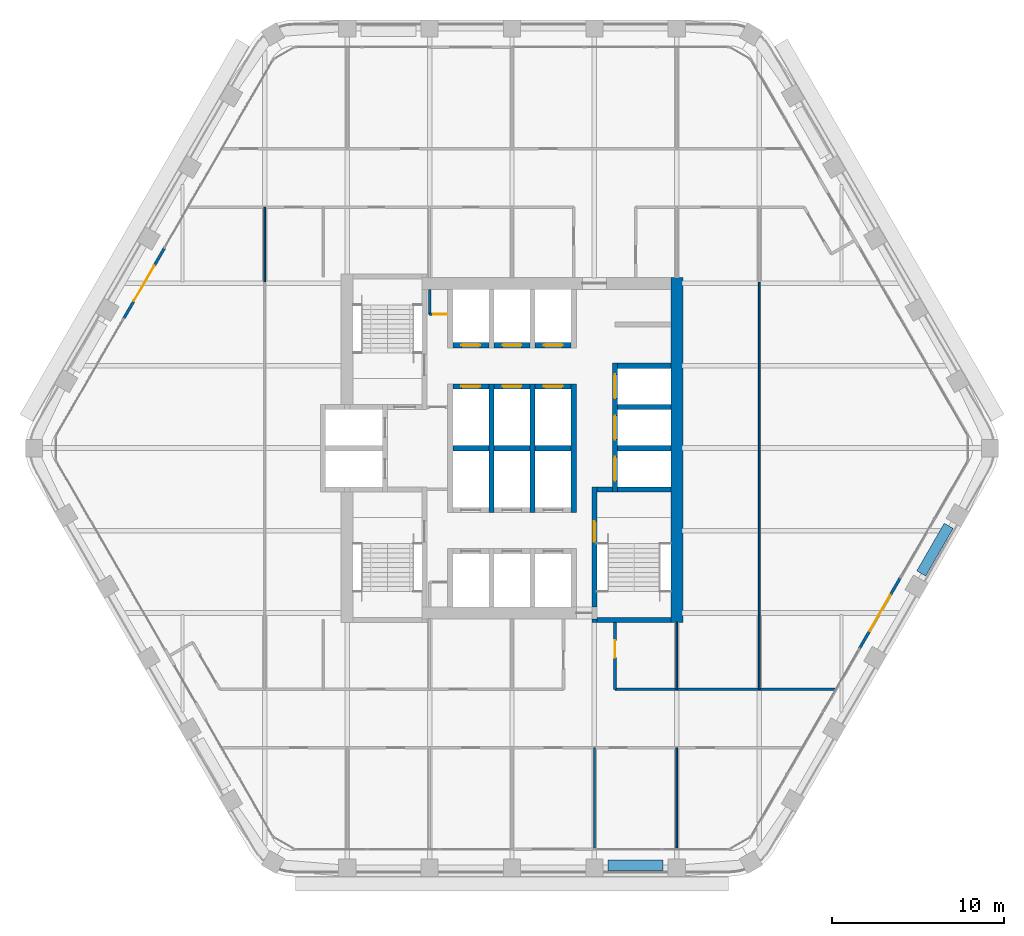
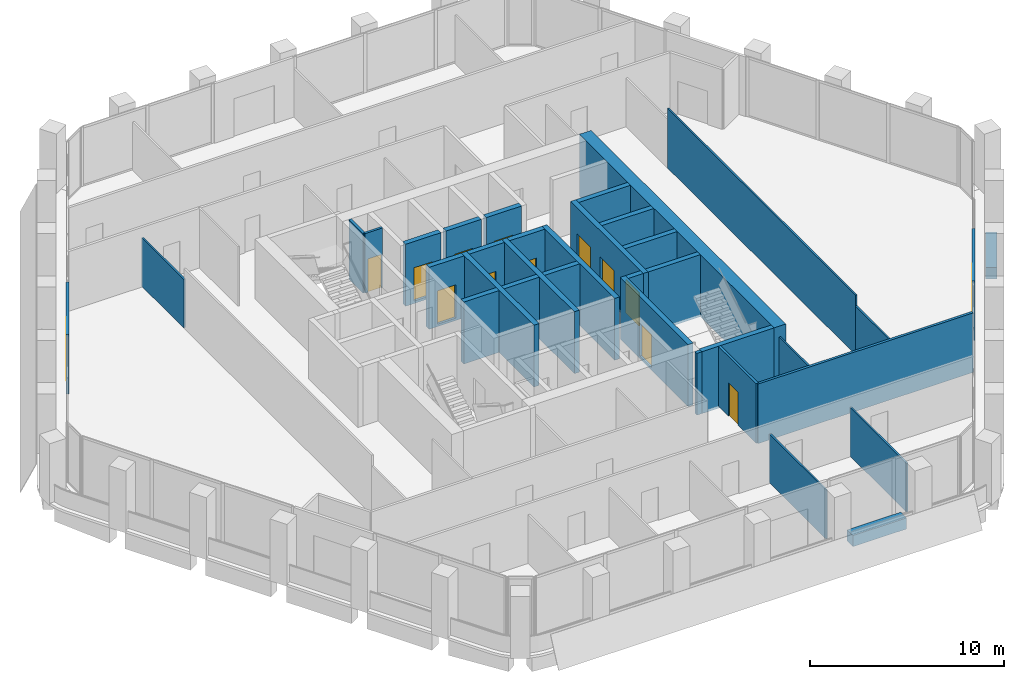
# One storey, part 10 of 15: 36 walls, 14 doors, 14 openings.
"""IFC4 building model written with IfcOpenShell, lengths in metres."""

from ifc_helpers import new_model, si_unit, direction, frame, frame_2d, origin, place, context, subcontext, project, spatial, rectangle, extrude, material, layer, layer_set, type_object, element, fill, save


model = new_model("IFC4")

# Units and contexts
model_context = context("Model", 3, precision=1e-05, world=origin(), true_north=direction((0.0, 1.0)))
body_context = subcontext(model_context, "Body", "Model", "MODEL_VIEW")
ifc_project = project(units=[si_unit("LENGTHUNIT", "METRE"), si_unit("AREAUNIT", "SQUARE_METRE"), si_unit("VOLUMEUNIT", "CUBIC_METRE"), si_unit("PLANEANGLEUNIT", "RADIAN"), si_unit("MASSUNIT", "GRAM", prefix="KILO")], contexts=[model_context])

# Site, building, storey
site_placement = place(None, origin())
site = spatial("IfcSite", under=ifc_project, at=site_placement, CompositionType="ELEMENT")
building_placement = place(site_placement, origin())
building = spatial("IfcBuilding", under=site, at=building_placement, Name="Kolab Exchange Tower", CompositionType="ELEMENT")
storey_placement = place(building_placement, frame((0.0, 0.0, 142.699951171875)))
storey = spatial("IfcBuildingStorey", under=building, at=storey_placement, Name="L28", CompositionType="ELEMENT", Elevation=142.699951171875)

# Wall
ifc_material_1 = material(Name="Concrete C60/75", Category="concrete")
ifc_layer_1 = layer(ifc_material_1, 0.699951171875)
ifc_layer_set_1 = layer_set([ifc_layer_1], Name="Concrete C60/75")
wall_type_1 = type_object("IfcWallType", Name="CORE WALL 700 C60/75", PredefinedType="SHEAR", material=ifc_layer_set_1)
wall_1_placement = place(storey_placement, frame((9.60009765625, -10.14990234375, -0.14990234375), z_axis=(0.0, 0.0, 1.0), x_axis=(0.0, 1.0, 0.0)))
element("IfcWall", 1, at=wall_1_placement, inside=storey, type_object=wall_type_1, Name="wall/L28/core/058", PredefinedType="SHEAR", context=body_context, shape_type="SweptSolid", body=[
    extrude(rectangle(XDim=20.099853515625, YDim=0.699951171875, at=frame_2d((10.0498046875, 0.0))), origin(), (0.0, 0.0, 1.0), 3.89990234375),
])

# Wall, opening, door
ifc_material_2 = material(Name="Aluminium EN AW-6063 T6", Category="aluminium")
ifc_layer_2 = layer(ifc_material_2, 0.159912109375)
ifc_layer_set_2 = layer_set([ifc_layer_2], Name="Aluminium EN AW-6063 T6")
wall_type_2 = type_object("IfcWallType", Name="DOOR SURROUND WALL 160 ALUMINIUM FRAMED", PredefinedType="PARTITIONING", material=ifc_layer_set_2)
wall_2_placement = place(storey_placement, frame((22.61669921875, -7.5498046875, 0.0), z_axis=(0.0, 0.0, 1.0), x_axis=(-0.5000167099, -0.866015756104, 0.0)))
wall_2 = element("IfcWall", 2, at=wall_2_placement, inside=storey, type_object=wall_type_2, Name="Door surround wall", PredefinedType="PARTITIONING", context=body_context, shape_type="SweptSolid", body=[
    extrude(rectangle(XDim=4.739990234375, YDim=0.159912109375, at=frame_2d((2.3701171875, 0.0))), origin(), (0.0, 0.0, 1.0), 3.75),
])
opening_1_placement = place(wall_2_placement, frame((1.169921875, 0.0, 0.0)))
opening_1 = element("IfcOpeningElement", 3, at=opening_1_placement, cuts=wall_2, Name="Opening GD1-066", PredefinedType="OPENING", context=body_context, shape_type="SweptSolid", body=[
    extrude(rectangle(XDim=2.39990234375, YDim=2.39990234375, at=frame_2d((1.199951171875, 1.199951171875))), frame((0.0, 0.08984375, 0.0), z_axis=(0.0, -1.0, 0.0), x_axis=(1.0, 0.0, 0.0)), (0.0, 0.0, 1.0), 0.179931640625),
])
door_type_1 = type_object("IfcDoorType", Name="LOGGIA SLIDING GLASS DOOR 2400 X 2400", OperationType="DOUBLE_DOOR_SINGLE_SWING", PredefinedType="DOOR", material=ifc_material_2)
door_1_placement = place(opening_1_placement, origin())
door_1 = element("IfcDoor", 4, at=door_1_placement, inside=storey, type_object=door_type_1, Name="Loggia door", OperationType="DOUBLE_DOOR_SLIDING", OverallHeight=2.39990234375, OverallWidth=2.39990234375, PredefinedType="DOOR", context=body_context, shape_type="SweptSolid", body=[
    extrude(rectangle(XDim=2.39990234375, YDim=2.39990234375, at=frame_2d((1.199951171875, 1.199951171875))), frame((0.0, 0.02490234375, 0.0), z_axis=(0.0, -1.0, 0.0), x_axis=(1.0, 0.0, 0.0)), (0.0, 0.0, 1.0), 0.050048828125),
])
fill(opening_1, door_1)

wall_3_placement = place(storey_placement, frame((-22.61669921875, 7.5498046875, 0.0), z_axis=(0.0, 0.0, 1.0), x_axis=(0.5000167099, 0.866015756104, 0.0)))
wall_3 = element("IfcWall", 5, at=wall_3_placement, inside=storey, type_object=wall_type_2, Name="Door surround wall", PredefinedType="PARTITIONING", context=body_context, shape_type="SweptSolid", body=[
    extrude(rectangle(XDim=4.739990234375, YDim=0.159912109375, at=frame_2d((2.3701171875, 0.0))), origin(), (0.0, 0.0, 1.0), 3.75),
])
opening_2_placement = place(wall_3_placement, frame((1.169921875, 0.0, 0.0)))
opening_2 = element("IfcOpeningElement", 6, at=opening_2_placement, cuts=wall_3, Name="Opening GD1-069", PredefinedType="OPENING", context=body_context, shape_type="SweptSolid", body=[
    extrude(rectangle(XDim=2.39990234375, YDim=2.39990234375, at=frame_2d((1.199951171875, 1.199951171875))), frame((0.0, 0.08984375, 0.0), z_axis=(0.0, -1.0, 0.0), x_axis=(1.0, 0.0, 0.0)), (0.0, 0.0, 1.0), 0.179931640625),
])
door_2_placement = place(opening_2_placement, origin())
door_2 = element("IfcDoor", 7, at=door_2_placement, inside=storey, type_object=door_type_1, Name="Loggia door", OperationType="DOUBLE_DOOR_SLIDING", OverallHeight=2.39990234375, OverallWidth=2.39990234375, PredefinedType="DOOR", context=body_context, shape_type="SweptSolid", body=[
    extrude(rectangle(XDim=2.39990234375, YDim=2.39990234375, at=frame_2d((1.199951171875, 1.199951171875))), frame((0.0, 0.02490234375, 0.0), z_axis=(0.0, -1.0, 0.0), x_axis=(1.0, 0.0, 0.0)), (0.0, 0.0, 1.0), 0.050048828125),
])
fill(opening_2, door_2)

# Walls
ifc_material_3 = material(Name="Concrete C50/60", Category="concrete")
ifc_layer_3 = layer(ifc_material_3, 0.300048828125)
ifc_layer_set_3 = layer_set([ifc_layer_3], Name="Concrete C50/60")
wall_type_3 = type_object("IfcWallType", Name="LIFT SHAFT WALL 300 C50/60", PredefinedType="STANDARD", material=ifc_layer_set_3)
wall_4_placement = place(storey_placement, frame((-3.449951171875, 0.0, -0.14990234375), z_axis=(0.0, 0.0, 1.0), x_axis=(1.0, 0.0, 0.0)))
element("IfcWall", 8, at=wall_4_placement, inside=storey, type_object=wall_type_3, Name="wall/L28/core/015", PredefinedType="STANDARD", context=body_context, shape_type="SweptSolid", body=[
    extrude(rectangle(XDim=2.099853515625, YDim=0.300048828125, at=frame_2d((1.0498046875, 0.0))), origin(), (0.0, 0.0, 1.0), 3.89990234375),
])
wall_5_placement = place(storey_placement, frame((-1.050048828125, 0.0, -0.14990234375), z_axis=(0.0, 0.0, 1.0), x_axis=(1.0, 0.0, 0.0)))
element("IfcWall", 9, at=wall_5_placement, inside=storey, type_object=wall_type_3, Name="wall/L28/core/016", PredefinedType="STANDARD", context=body_context, shape_type="SweptSolid", body=[
    extrude(rectangle(XDim=2.10009765625, YDim=0.300048828125, at=frame_2d((1.050048828125, 0.0))), origin(), (0.0, 0.0, 1.0), 3.89990234375),
])
wall_6_placement = place(storey_placement, frame((1.35009765625, 0.0, -0.14990234375), z_axis=(0.0, 0.0, 1.0), x_axis=(1.0, 0.0, 0.0)))
element("IfcWall", 10, at=wall_6_placement, inside=storey, type_object=wall_type_3, Name="wall/L28/core/017", PredefinedType="STANDARD", context=body_context, shape_type="SweptSolid", body=[
    extrude(rectangle(XDim=2.099853515625, YDim=0.300048828125, at=frame_2d((1.0498046875, 0.0))), origin(), (0.0, 0.0, 1.0), 3.89990234375),
])
for number, where, z_axis, x_axis, name in (
    (11, (6.14990234375, 0.0, -0.14990234375), (0.0, 0.0, 1.0), (1.0, 0.0, 0.0), "wall/L28/core/018"),
    (12, (6.14990234375, 2.39990234375, -0.14990234375), (0.0, 0.0, 1.0), (1.0, 0.0, 0.0), "wall/L28/core/022"),
):
    element("IfcWall", number, at=place(storey_placement, frame(where, z_axis=z_axis, x_axis=x_axis)), inside=storey, type_object=wall_type_3, Name=name, PredefinedType="STANDARD", context=body_context, shape_type="SweptSolid", body=[
        extrude(rectangle(XDim=3.10009765625, YDim=0.300048828125, at=frame_2d((1.550048828125, 0.0))), origin(), (0.0, 0.0, 1.0), 3.89990234375),
    ])

# Wall, opening, door
wall_7_placement = place(storey_placement, frame((-3.449951171875, 3.60009765625, -0.14990234375), z_axis=(0.0, 0.0, 1.0), x_axis=(1.0, 0.0, 0.0)))
wall_7 = element("IfcWall", 13, at=wall_7_placement, inside=storey, type_object=wall_type_3, Name="wall/L28/core/023", PredefinedType="STANDARD", context=body_context, shape_type="SweptSolid", body=[
    extrude(rectangle(XDim=2.099853515625, YDim=0.300048828125, at=frame_2d((1.0498046875, 0.0))), origin(), (0.0, 0.0, 1.0), 3.89990234375),
])
opening_3_placement = place(wall_7_placement, frame((0.5, 0.0, 0.14990234375)))
opening_3 = element("IfcOpeningElement", 14, at=opening_3_placement, cuts=wall_7, Name="Opening LD1-115", PredefinedType="OPENING", context=body_context, shape_type="SweptSolid", body=[
    extrude(rectangle(XDim=1.10009765625, YDim=2.10009765625, at=frame_2d((0.550048828125, 1.050048828125))), frame((0.0, 0.16015625, 0.0), z_axis=(0.0, -1.0, 0.0), x_axis=(1.0, 0.0, 0.0)), (0.0, 0.0, 1.0), 0.320068359375),
])
ifc_material_4 = material(Name="Stainless steel 316", Category="steel")
door_type_2 = type_object("IfcDoorType", Name="LANDING DOOR 1100 PASSENGER", OperationType="DOUBLE_DOOR_SLIDING", PredefinedType="DOOR", material=ifc_material_4)
door_3_placement = place(opening_3_placement, origin())
door_3 = element("IfcDoor", 15, at=door_3_placement, inside=storey, type_object=door_type_2, Name="Landing door HR4", OperationType="DOUBLE_DOOR_SLIDING", OverallHeight=2.10009765625, OverallWidth=1.10009765625, PredefinedType="DOOR", context=body_context, shape_type="SweptSolid", body=[
    extrude(rectangle(XDim=1.10009765625, YDim=2.10009765625, at=frame_2d((0.550048828125, 1.050048828125))), frame((0.0, 0.02490234375, 0.0), z_axis=(0.0, -1.0, 0.0), x_axis=(1.0, 0.0, 0.0)), (0.0, 0.0, 1.0), 0.050048828125),
])
fill(opening_3, door_3)

wall_8_placement = place(storey_placement, frame((-1.050048828125, 3.60009765625, -0.14990234375), z_axis=(0.0, 0.0, 1.0), x_axis=(1.0, 0.0, 0.0)))
wall_8 = element("IfcWall", 16, at=wall_8_placement, inside=storey, type_object=wall_type_3, Name="wall/L28/core/024", PredefinedType="STANDARD", context=body_context, shape_type="SweptSolid", body=[
    extrude(rectangle(XDim=2.10009765625, YDim=0.300048828125, at=frame_2d((1.050048828125, 0.0))), origin(), (0.0, 0.0, 1.0), 3.89990234375),
])
opening_4_placement = place(wall_8_placement, frame((0.5, 0.0, 0.14990234375)))
opening_4 = element("IfcOpeningElement", 17, at=opening_4_placement, cuts=wall_8, Name="Opening LD1-116", PredefinedType="OPENING", context=body_context, shape_type="SweptSolid", body=[
    extrude(rectangle(XDim=1.10009765625, YDim=2.10009765625, at=frame_2d((0.550048828125, 1.050048828125))), frame((0.0, 0.16015625, 0.0), z_axis=(0.0, -1.0, 0.0), x_axis=(1.0, 0.0, 0.0)), (0.0, 0.0, 1.0), 0.320068359375),
])
door_4_placement = place(opening_4_placement, origin())
door_4 = element("IfcDoor", 18, at=door_4_placement, inside=storey, type_object=door_type_2, Name="Landing door HR5", OperationType="DOUBLE_DOOR_SLIDING", OverallHeight=2.10009765625, OverallWidth=1.10009765625, PredefinedType="DOOR", context=body_context, shape_type="SweptSolid", body=[
    extrude(rectangle(XDim=1.10009765625, YDim=2.10009765625, at=frame_2d((0.550048828125, 1.050048828125))), frame((0.0, 0.02490234375, 0.0), z_axis=(0.0, -1.0, 0.0), x_axis=(1.0, 0.0, 0.0)), (0.0, 0.0, 1.0), 0.050048828125),
])
fill(opening_4, door_4)

wall_9_placement = place(storey_placement, frame((1.35009765625, 3.60009765625, -0.14990234375), z_axis=(0.0, 0.0, 1.0), x_axis=(1.0, 0.0, 0.0)))
wall_9 = element("IfcWall", 19, at=wall_9_placement, inside=storey, type_object=wall_type_3, Name="wall/L28/core/025", PredefinedType="STANDARD", context=body_context, shape_type="SweptSolid", body=[
    extrude(rectangle(XDim=2.099853515625, YDim=0.300048828125, at=frame_2d((1.0498046875, 0.0))), origin(), (0.0, 0.0, 1.0), 3.89990234375),
])
opening_5_placement = place(wall_9_placement, frame((0.5, 0.0, 0.14990234375)))
opening_5 = element("IfcOpeningElement", 20, at=opening_5_placement, cuts=wall_9, Name="Opening LD1-117", PredefinedType="OPENING", context=body_context, shape_type="SweptSolid", body=[
    extrude(rectangle(XDim=1.10009765625, YDim=2.10009765625, at=frame_2d((0.550048828125, 1.050048828125))), frame((0.0, 0.16015625, 0.0), z_axis=(0.0, -1.0, 0.0), x_axis=(1.0, 0.0, 0.0)), (0.0, 0.0, 1.0), 0.320068359375),
])
door_5_placement = place(opening_5_placement, origin())
door_5 = element("IfcDoor", 21, at=door_5_placement, inside=storey, type_object=door_type_2, Name="Landing door HR6", OperationType="DOUBLE_DOOR_SLIDING", OverallHeight=2.10009765625, OverallWidth=1.10009765625, PredefinedType="DOOR", context=body_context, shape_type="SweptSolid", body=[
    extrude(rectangle(XDim=1.10009765625, YDim=2.10009765625, at=frame_2d((0.550048828125, 1.050048828125))), frame((0.0, 0.02490234375, 0.0), z_axis=(0.0, -1.0, 0.0), x_axis=(1.0, 0.0, 0.0)), (0.0, 0.0, 1.0), 0.050048828125),
])
fill(opening_5, door_5)

# Wall
wall_10_placement = place(storey_placement, frame((6.14990234375, 4.800048828125, -0.14990234375), z_axis=(0.0, 0.0, 1.0), x_axis=(1.0, 0.0, 0.0)))
element("IfcWall", 22, at=wall_10_placement, inside=storey, type_object=wall_type_3, Name="wall/L28/core/026", PredefinedType="STANDARD", context=body_context, shape_type="SweptSolid", body=[
    extrude(rectangle(XDim=3.10009765625, YDim=0.300048828125, at=frame_2d((1.550048828125, 0.0))), origin(), (0.0, 0.0, 1.0), 3.89990234375),
])

# Wall, opening, door
wall_11_placement = place(storey_placement, frame((-3.449951171875, 6.0, -0.14990234375), z_axis=(0.0, 0.0, 1.0), x_axis=(1.0, 0.0, 0.0)))
wall_11 = element("IfcWall", 23, at=wall_11_placement, inside=storey, type_object=wall_type_3, Name="wall/L28/core/027", PredefinedType="STANDARD", context=body_context, shape_type="SweptSolid", body=[
    extrude(rectangle(XDim=2.099853515625, YDim=0.300048828125, at=frame_2d((1.0498046875, 0.0))), origin(), (0.0, 0.0, 1.0), 3.89990234375),
])
opening_6_placement = place(wall_11_placement, frame((0.5, 0.0, 0.14990234375)))
opening_6 = element("IfcOpeningElement", 24, at=opening_6_placement, cuts=wall_11, Name="Opening LD1-109", PredefinedType="OPENING", context=body_context, shape_type="SweptSolid", body=[
    extrude(rectangle(XDim=1.10009765625, YDim=2.10009765625, at=frame_2d((0.550048828125, 1.050048828125))), frame((0.0, 0.16015625, 0.0), z_axis=(0.0, -1.0, 0.0), x_axis=(1.0, 0.0, 0.0)), (0.0, 0.0, 1.0), 0.320068359375),
])
door_6_placement = place(opening_6_placement, origin())
door_6 = element("IfcDoor", 25, at=door_6_placement, inside=storey, type_object=door_type_2, Name="Landing door HR1", OperationType="DOUBLE_DOOR_SLIDING", OverallHeight=2.10009765625, OverallWidth=1.10009765625, PredefinedType="DOOR", context=body_context, shape_type="SweptSolid", body=[
    extrude(rectangle(XDim=1.10009765625, YDim=2.10009765625, at=frame_2d((0.550048828125, 1.050048828125))), frame((0.0, 0.02490234375, 0.0), z_axis=(0.0, -1.0, 0.0), x_axis=(1.0, 0.0, 0.0)), (0.0, 0.0, 1.0), 0.050048828125),
])
fill(opening_6, door_6)

wall_12_placement = place(storey_placement, frame((-1.050048828125, 6.0, -0.14990234375), z_axis=(0.0, 0.0, 1.0), x_axis=(1.0, 0.0, 0.0)))
wall_12 = element("IfcWall", 26, at=wall_12_placement, inside=storey, type_object=wall_type_3, Name="wall/L28/core/028", PredefinedType="STANDARD", context=body_context, shape_type="SweptSolid", body=[
    extrude(rectangle(XDim=2.10009765625, YDim=0.300048828125, at=frame_2d((1.050048828125, 0.0))), origin(), (0.0, 0.0, 1.0), 3.89990234375),
])
opening_7_placement = place(wall_12_placement, frame((0.5, 0.0, 0.14990234375)))
opening_7 = element("IfcOpeningElement", 27, at=opening_7_placement, cuts=wall_12, Name="Opening LD1-113", PredefinedType="OPENING", context=body_context, shape_type="SweptSolid", body=[
    extrude(rectangle(XDim=1.10009765625, YDim=2.10009765625, at=frame_2d((0.550048828125, 1.050048828125))), frame((0.0, 0.16015625, 0.0), z_axis=(0.0, -1.0, 0.0), x_axis=(1.0, 0.0, 0.0)), (0.0, 0.0, 1.0), 0.320068359375),
])
door_7_placement = place(opening_7_placement, origin())
door_7 = element("IfcDoor", 28, at=door_7_placement, inside=storey, type_object=door_type_2, Name="Landing door HR2", OperationType="DOUBLE_DOOR_SLIDING", OverallHeight=2.10009765625, OverallWidth=1.10009765625, PredefinedType="DOOR", context=body_context, shape_type="SweptSolid", body=[
    extrude(rectangle(XDim=1.10009765625, YDim=2.10009765625, at=frame_2d((0.550048828125, 1.050048828125))), frame((0.0, 0.02490234375, 0.0), z_axis=(0.0, -1.0, 0.0), x_axis=(1.0, 0.0, 0.0)), (0.0, 0.0, 1.0), 0.050048828125),
])
fill(opening_7, door_7)

wall_13_placement = place(storey_placement, frame((1.35009765625, 6.0, -0.14990234375), z_axis=(0.0, 0.0, 1.0), x_axis=(1.0, 0.0, 0.0)))
wall_13 = element("IfcWall", 29, at=wall_13_placement, inside=storey, type_object=wall_type_3, Name="wall/L28/core/029", PredefinedType="STANDARD", context=body_context, shape_type="SweptSolid", body=[
    extrude(rectangle(XDim=2.099853515625, YDim=0.300048828125, at=frame_2d((1.0498046875, 0.0))), origin(), (0.0, 0.0, 1.0), 3.89990234375),
])
opening_8_placement = place(wall_13_placement, frame((0.5, 0.0, 0.14990234375)))
opening_8 = element("IfcOpeningElement", 30, at=opening_8_placement, cuts=wall_13, Name="Opening LD1-114", PredefinedType="OPENING", context=body_context, shape_type="SweptSolid", body=[
    extrude(rectangle(XDim=1.10009765625, YDim=2.10009765625, at=frame_2d((0.550048828125, 1.050048828125))), frame((0.0, 0.16015625, 0.0), z_axis=(0.0, -1.0, 0.0), x_axis=(1.0, 0.0, 0.0)), (0.0, 0.0, 1.0), 0.320068359375),
])
door_8_placement = place(opening_8_placement, origin())
door_8 = element("IfcDoor", 31, at=door_8_placement, inside=storey, type_object=door_type_2, Name="Landing door HR3", OperationType="DOUBLE_DOOR_SLIDING", OverallHeight=2.10009765625, OverallWidth=1.10009765625, PredefinedType="DOOR", context=body_context, shape_type="SweptSolid", body=[
    extrude(rectangle(XDim=1.10009765625, YDim=2.10009765625, at=frame_2d((0.550048828125, 1.050048828125))), frame((0.0, 0.02490234375, 0.0), z_axis=(0.0, -1.0, 0.0), x_axis=(1.0, 0.0, 0.0)), (0.0, 0.0, 1.0), 0.050048828125),
])
fill(opening_8, door_8)

# Walls
for number, where, z_axis, x_axis, name in (
    (32, (-1.199951171875, -3.75, -0.14990234375), (0.0, 0.0, 1.0), (0.0, 1.0, 0.0), "wall/L28/core/047"),
    (33, (1.199951171875, -3.75, -0.14990234375), (0.0, 0.0, 1.0), (0.0, 1.0, 0.0), "wall/L28/core/050"),
    (34, (3.60009765625, -3.75, -0.14990234375), (0.0, 0.0, 1.0), (0.0, 1.0, 0.0), "wall/L28/core/053"),
):
    element("IfcWall", number, at=place(storey_placement, frame(where, z_axis=z_axis, x_axis=x_axis)), inside=storey, type_object=wall_type_3, Name=name, PredefinedType="STANDARD", context=body_context, shape_type="SweptSolid", body=[
        extrude(rectangle(XDim=7.5, YDim=0.300048828125, at=frame_2d((3.75, 0.0))), origin(), (0.0, 0.0, 1.0), 3.89990234375),
    ])

# Wall, openings, doors
wall_14_placement = place(storey_placement, frame((6.0, -2.550048828125, -0.14990234375), z_axis=(0.0, 0.0, 1.0), x_axis=(0.0, 1.0, 0.0)))
wall_14 = element("IfcWall", 35, at=wall_14_placement, inside=storey, type_object=wall_type_3, Name="wall/L28/core/057", PredefinedType="STANDARD", context=body_context, shape_type="SweptSolid", body=[
    extrude(rectangle(XDim=7.5, YDim=0.300048828125, at=frame_2d((3.75, 0.0))), origin(), (0.0, 0.0, 1.0), 3.89990234375),
])
opening_9_placement = place(wall_14_placement, frame((0.64990234375, 0.0, 0.14990234375)))
opening_9 = element("IfcOpeningElement", 36, at=opening_9_placement, cuts=wall_14, Name="Opening LD3-037", PredefinedType="OPENING", context=body_context, shape_type="SweptSolid", body=[
    extrude(rectangle(XDim=1.39990234375, YDim=2.10009765625, at=frame_2d((0.699951171875, 1.050048828125))), frame((0.0, 0.16015625, 0.0), z_axis=(0.0, -1.0, 0.0), x_axis=(1.0, 0.0, 0.0)), (0.0, 0.0, 1.0), 0.320068359375),
])
opening_10_placement = place(wall_14_placement, frame((3.050048828125, 0.0, 0.14990234375)))
opening_10 = element("IfcOpeningElement", 37, at=opening_10_placement, cuts=wall_14, Name="Opening LD3-038", PredefinedType="OPENING", context=body_context, shape_type="SweptSolid", body=[
    extrude(rectangle(XDim=1.39990234375, YDim=2.10009765625, at=frame_2d((0.699951171875, 1.050048828125))), frame((0.0, 0.16015625, 0.0), z_axis=(0.0, -1.0, 0.0), x_axis=(1.0, 0.0, 0.0)), (0.0, 0.0, 1.0), 0.320068359375),
])
opening_11_placement = place(wall_14_placement, frame((5.449951171875, 0.0, 0.14990234375)))
opening_11 = element("IfcOpeningElement", 38, at=opening_11_placement, cuts=wall_14, Name="Opening LD3-039", PredefinedType="OPENING", context=body_context, shape_type="SweptSolid", body=[
    extrude(rectangle(XDim=1.39990234375, YDim=2.10009765625, at=frame_2d((0.699951171875, 1.050048828125))), frame((0.0, 0.16015625, 0.0), z_axis=(0.0, -1.0, 0.0), x_axis=(1.0, 0.0, 0.0)), (0.0, 0.0, 1.0), 0.320068359375),
])
door_type_3 = type_object("IfcDoorType", Name="LANDING DOOR 1400 SERVICE", OperationType="DOUBLE_DOOR_SLIDING", PredefinedType="DOOR", material=ifc_material_4)
door_9_placement = place(opening_9_placement, origin())
door_9 = element("IfcDoor", 39, at=door_9_placement, inside=storey, type_object=door_type_3, Name="Landing door SV1", OperationType="DOUBLE_DOOR_SLIDING", OverallHeight=2.10009765625, OverallWidth=1.39990234375, PredefinedType="DOOR", context=body_context, shape_type="SweptSolid", body=[
    extrude(rectangle(XDim=1.39990234375, YDim=2.10009765625, at=frame_2d((0.699951171875, 1.050048828125))), frame((0.0, 0.02490234375, 0.0), z_axis=(0.0, -1.0, 0.0), x_axis=(1.0, 0.0, 0.0)), (0.0, 0.0, 1.0), 0.050048828125),
])
fill(opening_9, door_9)
door_10_placement = place(opening_10_placement, origin())
door_10 = element("IfcDoor", 40, at=door_10_placement, inside=storey, type_object=door_type_3, Name="Landing door SV2", OperationType="DOUBLE_DOOR_SLIDING", OverallHeight=2.10009765625, OverallWidth=1.39990234375, PredefinedType="DOOR", context=body_context, shape_type="SweptSolid", body=[
    extrude(rectangle(XDim=1.39990234375, YDim=2.10009765625, at=frame_2d((0.699951171875, 1.050048828125))), frame((0.0, 0.02490234375, 0.0), z_axis=(0.0, -1.0, 0.0), x_axis=(1.0, 0.0, 0.0)), (0.0, 0.0, 1.0), 0.050048828125),
])
fill(opening_10, door_10)
door_11_placement = place(opening_11_placement, origin())
door_11 = element("IfcDoor", 41, at=door_11_placement, inside=storey, type_object=door_type_3, Name="Landing door SV3", OperationType="DOUBLE_DOOR_SLIDING", OverallHeight=2.10009765625, OverallWidth=1.39990234375, PredefinedType="DOOR", context=body_context, shape_type="SweptSolid", body=[
    extrude(rectangle(XDim=1.39990234375, YDim=2.10009765625, at=frame_2d((0.699951171875, 1.050048828125))), frame((0.0, 0.02490234375, 0.0), z_axis=(0.0, -1.0, 0.0), x_axis=(1.0, 0.0, 0.0)), (0.0, 0.0, 1.0), 0.050048828125),
])
fill(opening_11, door_11)

# Walls
ifc_material_5 = material(Name="Gypsum board", Category="gypsum")
ifc_layer_4 = layer(ifc_material_5, 0.10009765625)
ifc_layer_set_4 = layer_set([ifc_layer_4], Name="Gypsum board")
wall_type_4 = type_object("IfcWallType", Name="PARTITION 100", PredefinedType="PARTITIONING", material=ifc_layer_set_4)
wall_15_placement = place(storey_placement, frame((14.39990234375, -9.693603515625, 0.0), z_axis=(0.0, 0.0, 1.0), x_axis=(0.0, 1.0, 0.0)))
element("IfcWall", 42, at=wall_15_placement, inside=storey, type_object=wall_type_4, Name="Partition 000", PredefinedType="PARTITIONING", context=body_context, shape_type="SweptSolid", body=[
    extrude(rectangle(XDim=19.38720703125, YDim=0.10009765625, at=frame_2d((9.693603515625, 0.0))), origin(), (0.0, 0.0, 1.0), 3.75),
])
wall_16_placement = place(storey_placement, frame((14.39990234375, -14.04150390625, 0.0), z_axis=(0.0, 0.0, 1.0), x_axis=(0.0, 1.0, 0.0)))
element("IfcWall", 43, at=wall_16_placement, inside=storey, type_object=wall_type_4, Name="Partition 000", PredefinedType="PARTITIONING", context=body_context, shape_type="SweptSolid", body=[
    extrude(rectangle(XDim=4.347900390625, YDim=0.10009765625, at=frame_2d((2.173828125, 0.0))), origin(), (0.0, 0.0, 1.0), 3.066162109375),
])
wall_17_placement = place(storey_placement, frame((9.60009765625, -23.271484375, 0.0), z_axis=(0.0, 0.0, 1.0), x_axis=(0.0, 1.0, 0.0)))
element("IfcWall", 44, at=wall_17_placement, inside=storey, type_object=wall_type_4, Name="Partition 001", PredefinedType="PARTITIONING", context=body_context, shape_type="SweptSolid", body=[
    extrude(rectangle(XDim=5.830078125, YDim=0.10009765625, at=frame_2d((2.9150390625, 0.0))), origin(), (0.0, 0.0, 1.0), 3.066162109375),
])
wall_18_placement = place(storey_placement, frame((9.60009765625, -14.04150390625, 0.0), z_axis=(0.0, 0.0, 1.0), x_axis=(0.0, 1.0, 0.0)))
element("IfcWall", 45, at=wall_18_placement, inside=storey, type_object=wall_type_4, Name="Partition 002", PredefinedType="PARTITIONING", context=body_context, shape_type="SweptSolid", body=[
    extrude(rectangle(XDim=3.8916015625, YDim=0.10009765625, at=frame_2d((1.94580078125, 0.0))), origin(), (0.0, 0.0, 1.0), 3.066162109375),
])
wall_19_placement = place(storey_placement, frame((4.800048828125, -23.281494140625, 0.0), z_axis=(0.0, 0.0, 1.0), x_axis=(0.0, 1.0, 0.0)))
element("IfcWall", 46, at=wall_19_placement, inside=storey, type_object=wall_type_4, Name="Partition 007", PredefinedType="PARTITIONING", context=body_context, shape_type="SweptSolid", body=[
    extrude(rectangle(XDim=5.840087890625, YDim=0.10009765625, at=frame_2d((2.919921875, 0.0))), origin(), (0.0, 0.0, 1.0), 3.066162109375),
])
wall_20_placement = place(storey_placement, frame((-14.39990234375, 9.693603515625, 0.0), z_axis=(0.0, 0.0, 1.0), x_axis=(0.0, 1.0, 0.0)))
element("IfcWall", 47, at=wall_20_placement, inside=storey, type_object=wall_type_4, Name="Partition 023", PredefinedType="PARTITIONING", context=body_context, shape_type="SweptSolid", body=[
    extrude(rectangle(XDim=4.347900390625, YDim=0.10009765625, at=frame_2d((2.173828125, 0.0))), origin(), (0.0, 0.0, 1.0), 3.066162109375),
])

# Wall, opening, door
ifc_layer_5 = layer(ifc_material_5, 0.14990234375)
ifc_layer_set_5 = layer_set([ifc_layer_5], Name="Gypsum board")
wall_type_5 = type_object("IfcWallType", Name="PARTITION 150 FIRE-RATED", PredefinedType="PARTITIONING", material=ifc_layer_set_5)
wall_21_placement = place(storey_placement, frame((6.0, -14.04150390625, 0.0), z_axis=(0.0, 0.0, 1.0), x_axis=(0.0, 1.0, 0.0)))
wall_21 = element("IfcWall", 48, at=wall_21_placement, inside=storey, type_object=wall_type_5, Name="Partition 006", PredefinedType="PARTITIONING", context=body_context, shape_type="SweptSolid", body=[
    extrude(rectangle(XDim=3.8916015625, YDim=0.14990234375, at=frame_2d((1.94580078125, 0.0))), origin(), (0.0, 0.0, 1.0), 3.75),
])
opening_12_placement = place(wall_21_placement, frame((1.842041015625, 0.0, 0.0)))
opening_12 = element("IfcOpeningElement", 49, at=opening_12_placement, cuts=wall_21, Name="Opening D1-402", PredefinedType="OPENING", context=body_context, shape_type="SweptSolid", body=[
    extrude(rectangle(XDim=1.0, YDim=2.10009765625, at=frame_2d((0.5, 1.050048828125))), frame((0.0, 0.0849609375, 0.0), z_axis=(0.0, -1.0, 0.0), x_axis=(1.0, 0.0, 0.0)), (0.0, 0.0, 1.0), 0.169921875),
])
ifc_material_6 = material(Name="Steel S235", Category="steel")
door_type_4 = type_object("IfcDoorType", Name="FLUSH DOOR 1000 FD60", OperationType="SINGLE_SWING_LEFT", PredefinedType="DOOR", material=ifc_material_6)
door_12_placement = place(opening_12_placement, frame((1.0, 0.0, 0.0), z_axis=(0.0, 0.0, 1.0), x_axis=(-1.0, 0.0, 0.0)))
door_12 = element("IfcDoor", 50, at=door_12_placement, inside=storey, type_object=door_type_4, Name="Door L28-035", OperationType="SINGLE_SWING_RIGHT", OverallHeight=2.10009765625, OverallWidth=1.0, PredefinedType="DOOR", context=body_context, shape_type="SweptSolid", body=[
    extrude(rectangle(XDim=1.0, YDim=2.10009765625, at=frame_2d((0.5, 1.050048828125))), frame((0.0, 0.02490234375, 0.0), z_axis=(0.0, -1.0, 0.0), x_axis=(1.0, 0.0, 0.0)), (0.0, 0.0, 1.0), 0.050048828125),
])
fill(opening_12, door_12)

# Walls
wall_22_placement = place(storey_placement, frame((-4.800048828125, 7.800048828125, 0.0), z_axis=(0.0, 0.0, 1.0), x_axis=(0.0, 1.0, 0.0)))
element("IfcWall", 51, at=wall_22_placement, inside=storey, type_object=wall_type_5, Name="Partition 018", PredefinedType="PARTITIONING", context=body_context, shape_type="SweptSolid", body=[
    extrude(rectangle(XDim=1.449951171875, YDim=0.14990234375, at=frame_2d((0.72509765625, 0.0))), origin(), (0.0, 0.0, 1.0), 3.75),
])
wall_23_placement = place(storey_placement, frame((6.0, -14.04150390625, 0.0), z_axis=(0.0, 0.0, 1.0), x_axis=(1.0, 0.0, 0.0)))
element("IfcWall", 52, at=wall_23_placement, inside=storey, type_object=wall_type_5, Name="Partition 030", PredefinedType="PARTITIONING", context=body_context, shape_type="SweptSolid", body=[
    extrude(rectangle(XDim=12.822509765625, YDim=0.14990234375, at=frame_2d((6.4111328125, 0.0))), origin(), (0.0, 0.0, 1.0), 3.75),
])

# Wall, opening, door
wall_24_placement = place(storey_placement, frame((-4.800048828125, 7.800048828125, 0.0), z_axis=(0.0, 0.0, 1.0), x_axis=(1.0, 0.0, 0.0)))
wall_24 = element("IfcWall", 53, at=wall_24_placement, inside=storey, type_object=wall_type_5, Name="Partition 032", PredefinedType="PARTITIONING", context=body_context, shape_type="SweptSolid", body=[
    extrude(rectangle(XDim=1.050048828125, YDim=0.14990234375, at=frame_2d((0.52490234375, 0.0))), origin(), (0.0, 0.0, 1.0), 3.75),
])
opening_13_placement = place(wall_24_placement, frame((0.199951171875, 0.0, 0.0)))
opening_13 = element("IfcOpeningElement", 54, at=opening_13_placement, cuts=wall_24, Name="Opening D7-030", PredefinedType="OPENING", context=body_context, shape_type="SweptSolid", body=[
    extrude(rectangle(XDim=0.800048828125, YDim=2.10009765625, at=frame_2d((0.39990234375, 1.050048828125))), frame((0.0, 0.0849609375, 0.0), z_axis=(0.0, -1.0, 0.0), x_axis=(1.0, 0.0, 0.0)), (0.0, 0.0, 1.0), 0.169921875),
])
door_type_5 = type_object("IfcDoorType", Name="FLUSH DOOR 800 FD60", OperationType="SINGLE_SWING_LEFT", PredefinedType="DOOR", material=ifc_material_6)
door_13_placement = place(opening_13_placement, origin())
door_13 = element("IfcDoor", 55, at=door_13_placement, inside=storey, type_object=door_type_5, Name="Door L28-023", OperationType="SINGLE_SWING_RIGHT", OverallHeight=2.10009765625, OverallWidth=0.800048828125, PredefinedType="DOOR", context=body_context, shape_type="SweptSolid", body=[
    extrude(rectangle(XDim=0.800048828125, YDim=2.10009765625, at=frame_2d((0.39990234375, 1.050048828125))), frame((0.0, 0.02490234375, 0.0), z_axis=(0.0, -1.0, 0.0), x_axis=(1.0, 0.0, 0.0)), (0.0, 0.0, 1.0), 0.050048828125),
])
fill(opening_13, door_13)

# Walls
ifc_material_7 = material(Name="Granite facing", Category="masonry")
ifc_layer_6 = layer(ifc_material_7, 0.0400390625)
ifc_material_8 = material(Name="Concrete C40/50 precast", Category="concrete")
ifc_layer_7 = layer(ifc_material_8, 0.56005859375)
ifc_layer_set_6 = layer_set([ifc_layer_6, ifc_layer_7], Name="Concrete C40/50 precast")
wall_type_6 = type_object("IfcWallType", Name="PLANTER BOX 600 X 700 SOIL DEPTH 550", PredefinedType="USERDEFINED", material=ifc_layer_set_6)
wall_25_placement = place(storey_placement, frame((25.43701171875, -4.524658203125, 0.0), z_axis=(0.0, 0.0, 1.0), x_axis=(-0.499938187974, -0.866061088033, 0.0)))
element("IfcWall", 56, at=wall_25_placement, inside=storey, type_object=wall_type_6, Name="Planter", ObjectType="PLANTER", PredefinedType="USERDEFINED", context=body_context, shape_type="SweptSolid", body=[
    extrude(rectangle(XDim=3.2001953125, YDim=0.60009765625, at=frame_2d((1.60009765625, 0.0))), origin(), (0.0, 0.0, 1.0), 0.699951171875),
])
wall_26_placement = place(storey_placement, frame((8.800048828125, -24.29150390625, 0.0), z_axis=(0.0, 0.0, 1.0), x_axis=(-1.0, 0.0, 0.0)))
element("IfcWall", 57, at=wall_26_placement, inside=storey, type_object=wall_type_6, Name="Planter", ObjectType="PLANTER", PredefinedType="USERDEFINED", context=body_context, shape_type="SweptSolid", body=[
    extrude(rectangle(XDim=3.199951171875, YDim=0.60009765625, at=frame_2d((1.60009765625, 0.0))), origin(), (0.0, 0.0, 1.0), 0.699951171875),
])
ifc_layer_8 = layer(ifc_material_3, 0.300048828125)
ifc_layer_set_7 = layer_set([ifc_layer_8], Name="Concrete C50/60")
wall_type_7 = type_object("IfcWallType", Name="STAIR ENCLOSURE WALL 300 C50/60", PredefinedType="STANDARD", material=ifc_layer_set_7)
wall_27_placement = place(storey_placement, frame((4.949951171875, -10.0, -0.14990234375), z_axis=(0.0, 0.0, 1.0), x_axis=(1.0, 0.0, 0.0)))
element("IfcWall", 58, at=wall_27_placement, inside=storey, type_object=wall_type_7, Name="wall/L28/core/001", PredefinedType="STANDARD", context=body_context, shape_type="SweptSolid", body=[
    extrude(rectangle(XDim=4.300048828125, YDim=0.300048828125, at=frame_2d((2.14990234375, 0.0))), origin(), (0.0, 0.0, 1.0), 3.89990234375),
])
wall_28_placement = place(storey_placement, frame((4.949951171875, -2.39990234375, -0.14990234375), z_axis=(0.0, 0.0, 1.0), x_axis=(1.0, 0.0, 0.0)))
element("IfcWall", 59, at=wall_28_placement, inside=storey, type_object=wall_type_7, Name="wall/L28/core/012", PredefinedType="STANDARD", context=body_context, shape_type="SweptSolid", body=[
    extrude(rectangle(XDim=0.900146484375, YDim=0.300048828125, at=frame_2d((0.4501953125, 0.0))), origin(), (0.0, 0.0, 1.0), 3.89990234375),
])
wall_29_placement = place(storey_placement, frame((6.14990234375, -2.39990234375, -0.14990234375), z_axis=(0.0, 0.0, 1.0), x_axis=(1.0, 0.0, 0.0)))
element("IfcWall", 60, at=wall_29_placement, inside=storey, type_object=wall_type_7, Name="wall/L28/core/013", PredefinedType="STANDARD", context=body_context, shape_type="SweptSolid", body=[
    extrude(rectangle(XDim=3.10009765625, YDim=0.300048828125, at=frame_2d((1.550048828125, 0.0))), origin(), (0.0, 0.0, 1.0), 3.89990234375),
])
wall_30_placement = place(storey_placement, frame((4.800048828125, -10.14990234375, -0.14990234375), z_axis=(0.0, 0.0, 1.0), x_axis=(0.0, 1.0, 0.0)))
element("IfcWall", 61, at=wall_30_placement, inside=storey, type_object=wall_type_7, Name="wall/L28/core/055", PredefinedType="STANDARD", context=body_context, shape_type="SweptSolid", body=[
    extrude(rectangle(XDim=0.199951171875, YDim=0.300048828125, at=frame_2d((0.10009765625, 0.0))), origin(), (0.0, 0.0, 1.0), 3.89990234375),
])

# Wall, opening, door
wall_31_placement = place(storey_placement, frame((4.800048828125, -9.25, -0.14990234375), z_axis=(0.0, 0.0, 1.0), x_axis=(0.0, 1.0, 0.0)))
wall_31 = element("IfcWall", 62, at=wall_31_placement, inside=storey, type_object=wall_type_7, Name="wall/L28/core/056", PredefinedType="STANDARD", context=body_context, shape_type="SweptSolid", body=[
    extrude(rectangle(XDim=7.0, YDim=0.300048828125, at=frame_2d((3.5, 0.0))), origin(), (0.0, 0.0, 1.0), 3.89990234375),
])
opening_14_placement = place(wall_31_placement, frame((3.800048828125, 0.0, 0.14990234375)))
opening_14 = element("IfcOpeningElement", 63, at=opening_14_placement, cuts=wall_31, Name="Opening D4-067", PredefinedType="OPENING", context=body_context, shape_type="SweptSolid", body=[
    extrude(rectangle(XDim=1.199951171875, YDim=2.10009765625, at=frame_2d((0.60009765625, 1.050048828125))), frame((0.0, 0.16015625, 0.0), z_axis=(0.0, -1.0, 0.0), x_axis=(1.0, 0.0, 0.0)), (0.0, 0.0, 1.0), 0.320068359375),
])
door_type_6 = type_object("IfcDoorType", Name="STAIR DOOR 1200 EI 120", OperationType="SINGLE_SWING_LEFT", PredefinedType="DOOR", material=ifc_material_6)
door_14_placement = place(opening_14_placement, frame((1.199951171875, 0.0, 0.0), z_axis=(0.0, 0.0, 1.0), x_axis=(-1.0, 0.0, 0.0)))
door_14 = element("IfcDoor", 64, at=door_14_placement, inside=storey, type_object=door_type_6, Name="Stair 2 door", OperationType="SINGLE_SWING_RIGHT", OverallHeight=2.10009765625, OverallWidth=1.199951171875, PredefinedType="DOOR", context=body_context, shape_type="SweptSolid", body=[
    extrude(rectangle(XDim=1.199951171875, YDim=2.10009765625, at=frame_2d((0.60009765625, 1.050048828125))), frame((0.0, 0.02490234375, 0.0), z_axis=(0.0, -1.0, 0.0), x_axis=(1.0, 0.0, 0.0)), (0.0, 0.0, 1.0), 0.050048828125),
])
fill(opening_14, door_14)

save(model, "model.ifc")
